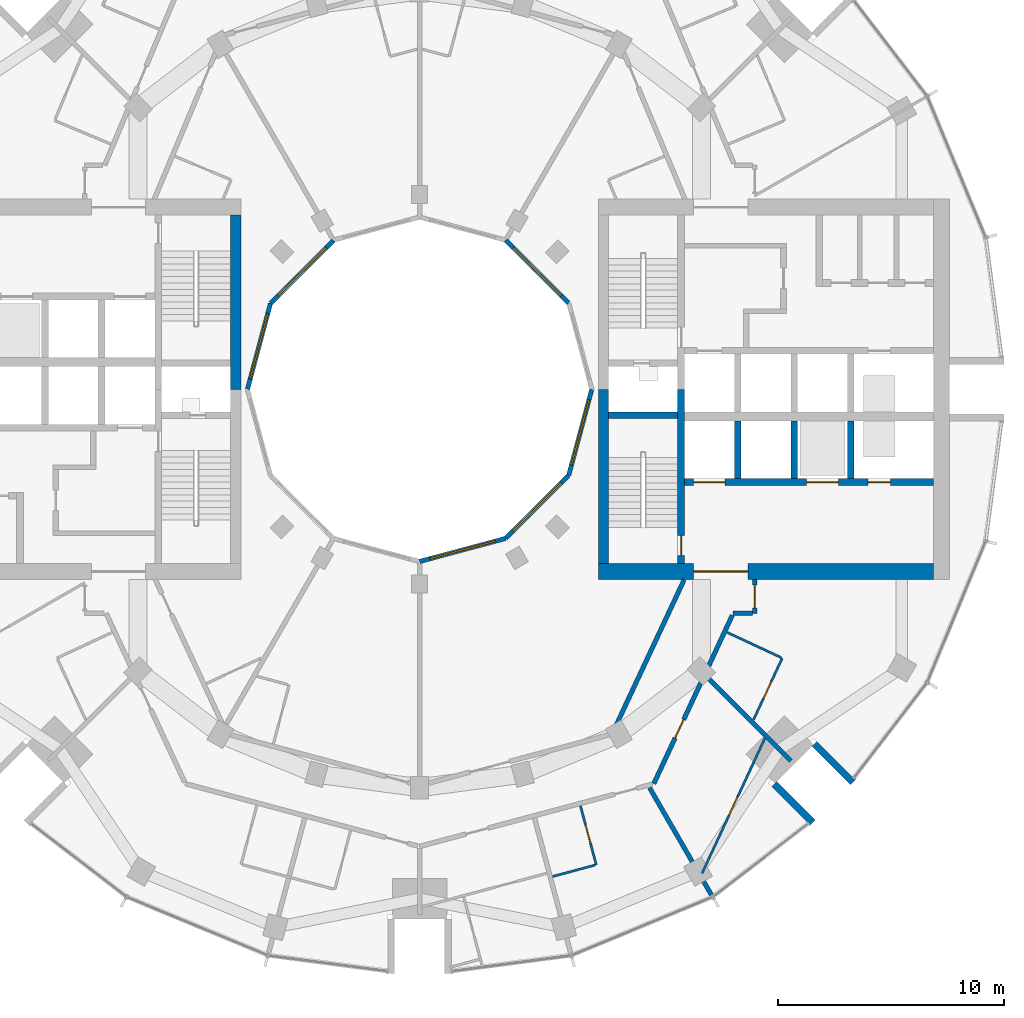
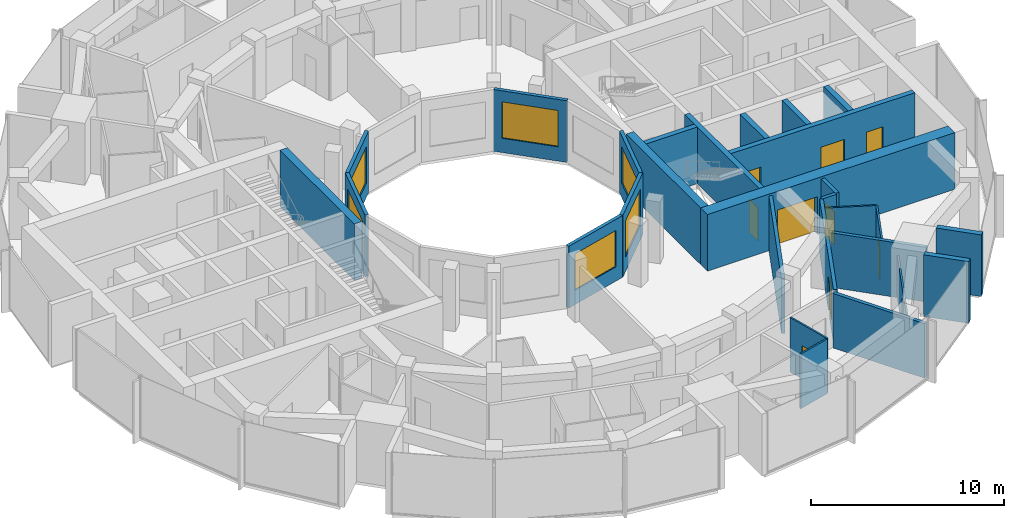
# One storey, part 10 of 15: 28 walls, 10 doors, 6 windows, 16 openings.
"""IFC4 building model written with IfcOpenShell, lengths in metres."""

from ifc_helpers import new_model, si_unit, direction, frame, frame_2d, origin, place, context, subcontext, project, spatial, rectangle, extrude, material, layer, layer_set, type_object, element, fill, save


model = new_model("IFC4")

# Units and contexts
model_context = context("Model", 3, precision=1e-05, world=origin(), true_north=direction((0.0, 1.0)))
body_context = subcontext(model_context, "Body", "Model", "MODEL_VIEW")
ifc_project = project(units=[si_unit("LENGTHUNIT", "METRE"), si_unit("AREAUNIT", "SQUARE_METRE"), si_unit("VOLUMEUNIT", "CUBIC_METRE"), si_unit("PLANEANGLEUNIT", "RADIAN"), si_unit("MASSUNIT", "GRAM", prefix="KILO")], contexts=[model_context])

# Site, building, storey
site_placement = place(None, origin())
site = spatial("IfcSite", under=ifc_project, at=site_placement, CompositionType="ELEMENT")
building_placement = place(site_placement, origin())
building = spatial("IfcBuilding", under=site, at=building_placement, Name="Torre Brocal", CompositionType="ELEMENT")
storey_placement = place(building_placement, frame((0.0, 0.0, 130.199951171875)))
storey = spatial("IfcBuildingStorey", under=building, at=storey_placement, Name="L30", CompositionType="ELEMENT", Elevation=130.199951171875)

# Wall, opening, door
ifc_material_1 = material(Name="Concrete C70", Category="concrete")
ifc_layer_1 = layer(ifc_material_1, 0.300048828125)
ifc_layer_set_1 = layer_set([ifc_layer_1], Name="Concrete C70")
wall_type_1 = type_object("IfcWallType", Name="CORE WALL 300 C70", PredefinedType="SHEAR", material=ifc_layer_set_1)
wall_1_placement = place(storey_placement, frame((91.550048828125, 67.300048828125, 0.0), z_axis=(0.0, 0.0, 1.0), x_axis=(0.0, 1.0, 0.0)))
wall_1 = element("IfcWall", 1, at=wall_1_placement, inside=storey, type_object=wall_type_1, Name="Wall CW300-70", PredefinedType="SHEAR", context=body_context, shape_type="SweptSolid", body=[
    extrude(rectangle(XDim=7.699951171875, YDim=0.300048828125, at=frame_2d((3.85009765625, 0.0))), origin(), (0.0, 0.0, 1.0), 3.580078125),
])
opening_1_placement = place(wall_1_placement, frame((0.35009765625, 0.0, 0.0)))
opening_1 = element("IfcOpeningElement", 2, at=opening_1_placement, cuts=wall_1, Name="Opening E-D03", PredefinedType="OPENING", context=body_context, shape_type="SweptSolid", body=[
    extrude(rectangle(XDim=0.89990234375, YDim=2.10009765625, at=frame_2d((0.449951171875, 1.050048828125))), frame((0.0, 0.159912109375, 0.0), z_axis=(0.0, -1.0, 0.0), x_axis=(1.0, 0.0, 0.0)), (0.0, 0.0, 1.0), 0.320068359375),
])
ifc_material_2 = material(Name="Steel A653", Category="steel")
door_type_1 = type_object("IfcDoorType", Name="STAIR DOOR FD120 900X2100", OperationType="SINGLE_SWING_RIGHT", PredefinedType="DOOR", material=ifc_material_2)
door_1_placement = place(opening_1_placement, origin())
door_1 = element("IfcDoor", 3, at=door_1_placement, inside=storey, type_object=door_type_1, Name="Door E-D03", OperationType="SINGLE_SWING_LEFT", OverallHeight=2.10009765625, OverallWidth=0.89990234375, PredefinedType="DOOR", context=body_context, shape_type="SweptSolid", body=[
    extrude(rectangle(XDim=0.89990234375, YDim=2.10009765625, at=frame_2d((0.449951171875, 1.050048828125))), frame((0.0, 0.02490234375, 0.0), z_axis=(0.0, -1.0, 0.0), x_axis=(1.0, 0.0, 0.0)), (0.0, 0.0, 1.0), 0.050048828125),
])
fill(opening_1, door_1)

# Wall
wall_2_placement = place(storey_placement, frame((88.35009765625, 73.85009765625, 0.0), z_axis=(0.0, 0.0, 1.0), x_axis=(1.0, 0.0, 0.0)))
element("IfcWall", 4, at=wall_2_placement, inside=storey, type_object=wall_type_1, Name="Wall CW300-70", PredefinedType="SHEAR", context=body_context, shape_type="SweptSolid", body=[
    extrude(rectangle(XDim=3.0498046875, YDim=0.300048828125, at=frame_2d((1.52490234375, 0.0))), origin(), (0.0, 0.0, 1.0), 3.580078125),
])

# Wall, openings, doors
wall_3_placement = place(storey_placement, frame((91.699951171875, 70.89990234375, 0.0), z_axis=(0.0, 0.0, 1.0), x_axis=(1.0, 0.0, 0.0)))
wall_3 = element("IfcWall", 5, at=wall_3_placement, inside=storey, type_object=wall_type_1, Name="Wall CW300-70", PredefinedType="SHEAR", context=body_context, shape_type="SweptSolid", body=[
    extrude(rectangle(XDim=11.0, YDim=0.300048828125, at=frame_2d((5.5, 0.0))), origin(), (0.0, 0.0, 1.0), 3.580078125),
])
opening_2_placement = place(wall_3_placement, frame((0.39990234375, 0.0, 0.0)))
opening_2 = element("IfcOpeningElement", 6, at=opening_2_placement, cuts=wall_3, Name="Opening LD14", PredefinedType="OPENING", context=body_context, shape_type="SweptSolid", body=[
    extrude(rectangle(XDim=1.39990234375, YDim=2.10009765625, at=frame_2d((0.699951171875, 1.050048828125))), frame((0.0, 0.159912109375, 0.0), z_axis=(0.0, -1.0, 0.0), x_axis=(1.0, 0.0, 0.0)), (0.0, 0.0, 1.0), 0.320068359375),
])
opening_3_placement = place(wall_3_placement, frame((5.39990234375, 0.0, 0.0)))
opening_3 = element("IfcOpeningElement", 7, at=opening_3_placement, cuts=wall_3, Name="Opening LD14", PredefinedType="OPENING", context=body_context, shape_type="SweptSolid", body=[
    extrude(rectangle(XDim=1.39990234375, YDim=2.10009765625, at=frame_2d((0.699951171875, 1.050048828125))), frame((0.0, 0.159912109375, 0.0), z_axis=(0.0, -1.0, 0.0), x_axis=(1.0, 0.0, 0.0)), (0.0, 0.0, 1.0), 0.320068359375),
])
opening_4_placement = place(wall_3_placement, frame((8.10009765625, 0.0, 0.0)))
opening_4 = element("IfcOpeningElement", 8, at=opening_4_placement, cuts=wall_3, Name="Opening LD10", PredefinedType="OPENING", context=body_context, shape_type="SweptSolid", body=[
    extrude(rectangle(XDim=1.0, YDim=2.10009765625, at=frame_2d((0.5, 1.050048828125))), frame((0.0, 0.159912109375, 0.0), z_axis=(0.0, -1.0, 0.0), x_axis=(1.0, 0.0, 0.0)), (0.0, 0.0, 1.0), 0.320068359375),
])
ifc_material_3 = material(Name="Stainless steel AISI 316", Category="steel")
door_type_2 = type_object("IfcDoorType", Name="LIFT LANDING DOOR 1000X2100", OperationType="DOUBLE_DOOR_SLIDING", PredefinedType="DOOR", material=ifc_material_3)
door_2_placement = place(opening_4_placement, origin())
door_2 = element("IfcDoor", 9, at=door_2_placement, inside=storey, type_object=door_type_2, Name="Door LD10", OperationType="DOUBLE_DOOR_SLIDING", OverallHeight=2.10009765625, OverallWidth=1.0, PredefinedType="DOOR", context=body_context, shape_type="SweptSolid", body=[
    extrude(rectangle(XDim=1.0, YDim=2.10009765625, at=frame_2d((0.5, 1.050048828125))), frame((0.0, 0.02490234375, 0.0), z_axis=(0.0, -1.0, 0.0), x_axis=(1.0, 0.0, 0.0)), (0.0, 0.0, 1.0), 0.050048828125),
])
fill(opening_4, door_2)
ifc_material_4 = material(Name="Stainless steel AISI 316", Category="steel")
door_type_3 = type_object("IfcDoorType", Name="LIFT LANDING DOOR 1400X2100", OperationType="DOUBLE_DOOR_SLIDING", PredefinedType="DOOR", material=ifc_material_4)
door_3_placement = place(opening_2_placement, origin())
door_3 = element("IfcDoor", 10, at=door_3_placement, inside=storey, type_object=door_type_3, Name="Door LD14", OperationType="DOUBLE_DOOR_SLIDING", OverallHeight=2.10009765625, OverallWidth=1.39990234375, PredefinedType="DOOR", context=body_context, shape_type="SweptSolid", body=[
    extrude(rectangle(XDim=1.39990234375, YDim=2.10009765625, at=frame_2d((0.699951171875, 1.050048828125))), frame((0.0, 0.02490234375, 0.0), z_axis=(0.0, -1.0, 0.0), x_axis=(1.0, 0.0, 0.0)), (0.0, 0.0, 1.0), 0.050048828125),
])
fill(opening_2, door_3)
door_4_placement = place(opening_3_placement, origin())
door_4 = element("IfcDoor", 11, at=door_4_placement, inside=storey, type_object=door_type_3, Name="Door LD14", OperationType="DOUBLE_DOOR_SLIDING", OverallHeight=2.10009765625, OverallWidth=1.39990234375, PredefinedType="DOOR", context=body_context, shape_type="SweptSolid", body=[
    extrude(rectangle(XDim=1.39990234375, YDim=2.10009765625, at=frame_2d((0.699951171875, 1.050048828125))), frame((0.0, 0.02490234375, 0.0), z_axis=(0.0, -1.0, 0.0), x_axis=(1.0, 0.0, 0.0)), (0.0, 0.0, 1.0), 0.050048828125),
])
fill(opening_3, door_4)

# Walls
for number, where, z_axis, x_axis, name in (
    (12, (94.050048828125, 71.050048828125, 0.0), (0.0, 0.0, 1.0), (0.0, 1.0, 0.0), "Wall CW300-70"),
    (13, (96.550048828125, 71.050048828125, 0.0), (0.0, 0.0, 1.0), (0.0, 1.0, 0.0), "Wall CW300-70"),
    (14, (99.050048828125, 71.050048828125, 0.0), (0.0, 0.0, 1.0), (0.0, 1.0, 0.0), "Wall CW300-70"),
):
    element("IfcWall", number, at=place(storey_placement, frame(where, z_axis=z_axis, x_axis=x_axis)), inside=storey, type_object=wall_type_1, Name=name, PredefinedType="SHEAR", context=body_context, shape_type="SweptSolid", body=[
        extrude(rectangle(XDim=2.550048828125, YDim=0.300048828125, at=frame_2d((1.27490234375, 0.0))), origin(), (0.0, 0.0, 1.0), 3.580078125),
    ])
ifc_material_5 = material(Name="Concrete C70", Category="concrete")
ifc_layer_2 = layer(ifc_material_5, 0.449951171875)
ifc_layer_set_2 = layer_set([ifc_layer_2], Name="Concrete C70")
wall_type_2 = type_object("IfcWallType", Name="CORE WALL 450 C70", PredefinedType="SHEAR", material=ifc_layer_set_2)
for number, where, z_axis, x_axis, name in (
    (15, (88.125, 67.300048828125, 0.0), (0.0, 0.0, 1.0), (0.0, 1.0, 0.0), "Wall CW450-70"),
    (16, (71.875, 82.699951171875, 0.0), (0.0, 0.0, 1.0), (0.0, -1.0, 0.0), "Wall CW450-70"),
):
    element("IfcWall", number, at=place(storey_placement, frame(where, z_axis=z_axis, x_axis=x_axis)), inside=storey, type_object=wall_type_2, Name=name, PredefinedType="SHEAR", context=body_context, shape_type="SweptSolid", body=[
        extrude(rectangle(XDim=7.699951171875, YDim=0.449951171875, at=frame_2d((3.85009765625, 0.0))), origin(), (0.0, 0.0, 1.0), 3.580078125),
    ])

# Wall, opening, door
ifc_material_6 = material(Name="Concrete C70", Category="concrete")
ifc_layer_3 = layer(ifc_material_6, 0.699951171875)
ifc_layer_set_3 = layer_set([ifc_layer_3], Name="Concrete C70")
wall_type_3 = type_object("IfcWallType", Name="CORE WALL 700 C70", PredefinedType="SHEAR", material=ifc_layer_set_3)
wall_4_placement = place(storey_placement, frame((87.89990234375, 66.949951171875, 0.0), z_axis=(0.0, 0.0, 1.0), x_axis=(1.0, 0.0, 0.0)))
wall_4 = element("IfcWall", 17, at=wall_4_placement, inside=storey, type_object=wall_type_3, Name="Wall CW700-70", PredefinedType="SHEAR", context=body_context, shape_type="SweptSolid", body=[
    extrude(rectangle(XDim=14.800048828125, YDim=0.699951171875, at=frame_2d((7.39990234375, 0.0))), origin(), (0.0, 0.0, 1.0), 3.580078125),
])
opening_5_placement = place(wall_4_placement, frame((4.199951171875, 0.0, 0.0)))
opening_5 = element("IfcOpeningElement", 18, at=opening_5_placement, cuts=wall_4, Name="Opening E-D30", PredefinedType="OPENING", context=body_context, shape_type="SweptSolid", body=[
    extrude(rectangle(XDim=2.39990234375, YDim=2.39990234375, at=frame_2d((1.199951171875, 1.199951171875))), frame((0.0, 0.35986328125, 0.0), z_axis=(0.0, -1.0, 0.0), x_axis=(1.0, 0.0, 0.0)), (0.0, 0.0, 1.0), 0.719970703125),
])
ifc_material_7 = material(Name="Steel A653", Category="steel")
door_type_4 = type_object("IfcDoorType", Name="DOUBLE FIRE DOOR FD90 2400X2400", OperationType="DOUBLE_DOOR_SINGLE_SWING", PredefinedType="DOOR", material=ifc_material_7)
door_5_placement = place(opening_5_placement, origin())
door_5 = element("IfcDoor", 19, at=door_5_placement, inside=storey, type_object=door_type_4, Name="Door E-D30", OperationType="DOUBLE_DOOR_SINGLE_SWING", OverallHeight=2.39990234375, OverallWidth=2.39990234375, PredefinedType="DOOR", context=body_context, shape_type="SweptSolid", body=[
    extrude(rectangle(XDim=2.39990234375, YDim=2.39990234375, at=frame_2d((1.199951171875, 1.199951171875))), frame((0.0, 0.02490234375, 0.0), z_axis=(0.0, -1.0, 0.0), x_axis=(1.0, 0.0, 0.0)), (0.0, 0.0, 1.0), 0.050048828125),
])
fill(opening_5, door_5)

# Walls
ifc_material_8 = material(Name="Concrete C70", Category="concrete")
ifc_layer_4 = layer(ifc_material_8, 0.300048828125)
ifc_layer_set_4 = layer_set([ifc_layer_4], Name="Concrete C70")
wall_type_4 = type_object("IfcWallType", Name="NOTCH RETURN WALL 300 C70", PredefinedType="NOTDEFINED", material=ifc_layer_set_4)
for number, where, z_axis, x_axis, name in (
    (20, (95.662353515625, 57.56982421875, 0.0), (0.0, 0.0, 1.0), (0.707106781187, -0.707106781187, 0.0), "NOTCH RETURN WALL"),
    (21, (97.43017578125, 59.337646484375, 0.0), (0.0, 0.0, 1.0), (0.707106781187, -0.707106781187, 0.0), "NOTCH RETURN WALL"),
):
    element("IfcWall", number, at=place(storey_placement, frame(where, z_axis=z_axis, x_axis=x_axis)), inside=storey, type_object=wall_type_4, Name=name, PredefinedType="NOTDEFINED", context=body_context, shape_type="SweptSolid", body=[
        extrude(rectangle(XDim=2.415771484375, YDim=0.300048828125, at=frame_2d((1.2080078125, 0.0))), origin(), (0.0, 0.0, 1.0), 3.900146484375),
    ])
ifc_material_9 = material(Name="Gypsum board", Category="Gypsum")
ifc_layer_5 = layer(ifc_material_9, 0.10009765625)
ifc_layer_set_5 = layer_set([ifc_layer_5], Name="Gypsum board")
wall_type_5 = type_object("IfcWallType", Name="PARTITION 100", PredefinedType="PARTITIONING", material=ifc_layer_set_5)
wall_5_placement = place(storey_placement, frame((85.87060546875, 53.477783203125, 0.0), z_axis=(0.0, 0.0, 1.0), x_axis=(0.965853538138, 0.25908867761, 0.0)))
element("IfcWall", 22, at=wall_5_placement, inside=storey, type_object=wall_type_5, Name="BATHROOM WALL", PredefinedType="PARTITIONING", context=body_context, shape_type="SweptSolid", body=[
    extrude(rectangle(XDim=1.94970703125, YDim=0.10009765625, at=frame_2d((0.974853515625, 0.0))), origin(), (0.0, 0.0, 1.0), 3.449951171875),
])

# Wall, opening, door
wall_6_placement = place(storey_placement, frame((87.10302734375, 56.60400390625, 0.0), z_axis=(0.0, 0.0, 1.0), x_axis=(0.258883730688, -0.965908491517, 0.0)))
wall_6 = element("IfcWall", 23, at=wall_6_placement, inside=storey, type_object=wall_type_5, Name="BATHROOM WALL", PredefinedType="PARTITIONING", context=body_context, shape_type="SweptSolid", body=[
    extrude(rectangle(XDim=2.699951171875, YDim=0.10009765625, at=frame_2d((1.35009765625, 0.0))), origin(), (0.0, 0.0, 1.0), 3.449951171875),
])
opening_6_placement = place(wall_6_placement, frame((0.899658203125, 0.0, 0.0)))
opening_6 = element("IfcOpeningElement", 24, at=opening_6_placement, cuts=wall_6, Name="Opening E02-D30", PredefinedType="OPENING", context=body_context, shape_type="SweptSolid", body=[
    extrude(rectangle(XDim=0.800048828125, YDim=2.10009765625, at=frame_2d((0.39990234375, 1.050048828125))), frame((0.0, 0.06005859375, 0.0), z_axis=(0.0, -1.0, 0.0), x_axis=(1.0, 0.0, 0.0)), (0.0, 0.0, 1.0), 0.1201171875),
])
ifc_material_10 = material(Name="Timber", Category="wood")
door_type_5 = type_object("IfcDoorType", Name="BATHROOM DOOR 800X2100", OperationType="SINGLE_SWING_LEFT", PredefinedType="DOOR", material=ifc_material_10)
door_6_placement = place(opening_6_placement, frame((0.800048828125, 0.0, 0.0), z_axis=(0.0, 0.0, 1.0), x_axis=(-1.0, 0.0, 0.0)))
door_6 = element("IfcDoor", 25, at=door_6_placement, inside=storey, type_object=door_type_5, Name="E02-D30", OperationType="SINGLE_SWING_RIGHT", OverallHeight=2.10009765625, OverallWidth=0.800048828125, PredefinedType="DOOR", context=body_context, shape_type="SweptSolid", body=[
    extrude(rectangle(XDim=0.800048828125, YDim=2.10009765625, at=frame_2d((0.39990234375, 1.050048828125))), frame((0.0, 0.02490234375, 0.0), z_axis=(0.0, -1.0, 0.0), x_axis=(1.0, 0.0, 0.0)), (0.0, 0.0, 1.0), 0.050048828125),
])
fill(opening_6, door_6)

# Wall
wall_7_placement = place(storey_placement, frame((93.581787109375, 64.2626953125, 0.0), z_axis=(0.0, 0.0, 1.0), x_axis=(0.906494794209, -0.422216991691, 0.0)))
element("IfcWall", 26, at=wall_7_placement, inside=storey, type_object=wall_type_5, Name="BATHROOM WALL", PredefinedType="PARTITIONING", context=body_context, shape_type="SweptSolid", body=[
    extrude(rectangle(XDim=2.6396484375, YDim=0.10009765625, at=frame_2d((1.31982421875, 0.0))), origin(), (0.0, 0.0, 1.0), 3.449951171875),
])

# Wall, opening, door
wall_8_placement = place(storey_placement, frame((94.752685546875, 60.40771484375, 0.0), z_axis=(0.0, 0.0, 1.0), x_axis=(0.422435455794, 0.906393008406, 0.0)))
wall_8 = element("IfcWall", 27, at=wall_8_placement, inside=storey, type_object=wall_type_5, Name="BATHROOM WALL", PredefinedType="PARTITIONING", context=body_context, shape_type="SweptSolid", body=[
    extrude(rectangle(XDim=3.0, YDim=0.10009765625, at=frame_2d((1.5, 0.0))), origin(), (0.0, 0.0, 1.0), 3.449951171875),
])
opening_7_placement = place(wall_8_placement, frame((1.0400390625, 0.0, 0.0)))
opening_7 = element("IfcOpeningElement", 28, at=opening_7_placement, cuts=wall_8, Name="Opening E02-D26", PredefinedType="OPENING", context=body_context, shape_type="SweptSolid", body=[
    extrude(rectangle(XDim=0.800048828125, YDim=2.10009765625, at=frame_2d((0.39990234375, 1.050048828125))), frame((0.0, 0.06005859375, 0.0), z_axis=(0.0, -1.0, 0.0), x_axis=(1.0, 0.0, 0.0)), (0.0, 0.0, 1.0), 0.1201171875),
])
door_7_placement = place(opening_7_placement, origin())
door_7 = element("IfcDoor", 29, at=door_7_placement, inside=storey, type_object=door_type_5, Name="E02-D26", OperationType="SINGLE_SWING_LEFT", OverallHeight=2.10009765625, OverallWidth=0.800048828125, PredefinedType="DOOR", context=body_context, shape_type="SweptSolid", body=[
    extrude(rectangle(XDim=0.800048828125, YDim=2.10009765625, at=frame_2d((0.39990234375, 1.050048828125))), frame((0.0, 0.02490234375, 0.0), z_axis=(0.0, -1.0, 0.0), x_axis=(1.0, 0.0, 0.0)), (0.0, 0.0, 1.0), 0.050048828125),
])
fill(opening_7, door_7)

ifc_material_11 = material(Name="Gypsum board", Category="Gypsum")
ifc_layer_6 = layer(ifc_material_11, 0.10009765625)
ifc_layer_set_6 = layer_set([ifc_layer_6], Name="Gypsum board")
wall_type_6 = type_object("IfcWallType", Name="PARTITION 100 UNDER BEAM 1220", PredefinedType="PARTITIONING", material=ifc_layer_set_6)
wall_9_placement = place(storey_placement, frame((92.47705078125, 53.618896484375, 0.0), z_axis=(0.0, 0.0, 1.0), x_axis=(0.421913254756, 0.90663620348, 0.0)))
wall_9 = element("IfcWall", 30, at=wall_9_placement, inside=storey, type_object=wall_type_6, Name="ROOM PARTITION", PredefinedType="PARTITIONING", context=body_context, shape_type="SweptSolid", body=[
    extrude(rectangle(XDim=6.572998046875, YDim=0.10009765625, at=frame_2d((3.28662109375, 0.0))), origin(), (0.0, 0.0, 1.0), 2.679931640625),
])
opening_8_placement = place(wall_9_placement, frame((2.831298828125, 0.0, 0.0)))
opening_8 = element("IfcOpeningElement", 31, at=opening_8_placement, cuts=wall_9, Name="Opening E02-D28", PredefinedType="OPENING", context=body_context, shape_type="SweptSolid", body=[
    extrude(rectangle(XDim=0.89990234375, YDim=2.10009765625, at=frame_2d((0.449951171875, 1.050048828125))), frame((0.0, 0.06005859375, 0.0), z_axis=(0.0, -1.0, 0.0), x_axis=(1.0, 0.0, 0.0)), (0.0, 0.0, 1.0), 0.1201171875),
])
ifc_material_12 = material(Name="Timber", Category="wood")
door_type_6 = type_object("IfcDoorType", Name="ROOM DOOR 900X2100", OperationType="SINGLE_SWING_LEFT", PredefinedType="DOOR", material=ifc_material_12)
door_8_placement = place(opening_8_placement, frame((0.89990234375, 0.0, 0.0), z_axis=(0.0, 0.0, 1.0), x_axis=(-1.0, 0.0, 0.0)))
door_8 = element("IfcDoor", 32, at=door_8_placement, inside=storey, type_object=door_type_6, Name="E02-D28", OperationType="SINGLE_SWING_LEFT", OverallHeight=2.10009765625, OverallWidth=0.89990234375, PredefinedType="DOOR", context=body_context, shape_type="SweptSolid", body=[
    extrude(rectangle(XDim=0.89990234375, YDim=2.10009765625, at=frame_2d((0.449951171875, 1.050048828125))), frame((0.0, 0.02490234375, 0.0), z_axis=(0.0, -1.0, 0.0), x_axis=(1.0, 0.0, 0.0)), (0.0, 0.0, 1.0), 0.050048828125),
])
fill(opening_8, door_8)

# Walls
ifc_material_13 = material(Name="Gypsum board", Category="Gypsum")
ifc_layer_7 = layer(ifc_material_13, 0.199951171875)
ifc_layer_set_7 = layer_set([ifc_layer_7], Name="Gypsum board")
wall_type_7 = type_object("IfcWallType", Name="PARTITION 200 EI60", PredefinedType="PARTITIONING", material=ifc_layer_set_7)
wall_10_placement = place(storey_placement, frame((88.501708984375, 59.774169921875, 0.0), z_axis=(0.0, 0.0, 1.0), x_axis=(0.423423307095, 0.905931952747, 0.0)))
element("IfcWall", 33, at=wall_10_placement, inside=storey, type_object=wall_type_7, Name="GUESTROOM CORRIDOR WALL", PredefinedType="PARTITIONING", context=body_context, shape_type="SweptSolid", body=[
    extrude(rectangle(XDim=7.528564453125, YDim=0.199951171875, at=frame_2d((3.76416015625, 0.0))), origin(), (0.0, 0.0, 1.0), 3.449951171875),
])
wall_11_placement = place(storey_placement, frame((90.15966796875, 57.3955078125, 0.0), z_axis=(0.0, 0.0, 1.0), x_axis=(0.499848624781, -0.86611278267, 0.0)))
element("IfcWall", 34, at=wall_11_placement, inside=storey, type_object=wall_type_7, Name="SERVICE ROOM WALL", PredefinedType="PARTITIONING", context=body_context, shape_type="SweptSolid", body=[
    extrude(rectangle(XDim=5.471923828125, YDim=0.199951171875, at=frame_2d((2.73583984375, 0.0))), origin(), (0.0, 0.0, 1.0), 3.449951171875),
])

# Wall, opening, door
wall_12_placement = place(storey_placement, frame((90.345947265625, 57.577880859375, 0.0), z_axis=(0.0, 0.0, 1.0), x_axis=(0.422476720533, 0.906373775331, 0.0)))
wall_12 = element("IfcWall", 35, at=wall_12_placement, inside=storey, type_object=wall_type_7, Name="GUESTROOM CORRIDOR WALL", PredefinedType="PARTITIONING", context=body_context, shape_type="SweptSolid", body=[
    extrude(rectangle(XDim=8.208251953125, YDim=0.199951171875, at=frame_2d((4.10400390625, 0.0))), origin(), (0.0, 0.0, 1.0), 3.449951171875),
])
opening_9_placement = place(wall_12_placement, frame((2.22265625, 0.0, 0.0)))
opening_9 = element("IfcOpeningElement", 36, at=opening_9_placement, cuts=wall_12, Name="Opening E02-D27", PredefinedType="OPENING", context=body_context, shape_type="SweptSolid", body=[
    extrude(rectangle(XDim=0.89990234375, YDim=2.10009765625, at=frame_2d((0.449951171875, 1.050048828125))), frame((0.0, 0.10986328125, 0.0), z_axis=(0.0, -1.0, 0.0), x_axis=(1.0, 0.0, 0.0)), (0.0, 0.0, 1.0), 0.219970703125),
])
door_9_placement = place(opening_9_placement, frame((0.89990234375, 0.0, 0.0), z_axis=(0.0, 0.0, 1.0), x_axis=(-1.0, 0.0, 0.0)))
door_9 = element("IfcDoor", 37, at=door_9_placement, inside=storey, type_object=door_type_6, Name="E02-D27", OperationType="SINGLE_SWING_LEFT", OverallHeight=2.10009765625, OverallWidth=0.89990234375, PredefinedType="DOOR", context=body_context, shape_type="SweptSolid", body=[
    extrude(rectangle(XDim=0.89990234375, YDim=2.10009765625, at=frame_2d((0.449951171875, 1.050048828125))), frame((0.0, 0.02490234375, 0.0), z_axis=(0.0, -1.0, 0.0), x_axis=(1.0, 0.0, 0.0)), (0.0, 0.0, 1.0), 0.050048828125),
])
fill(opening_9, door_9)

# Walls
wall_13_placement = place(storey_placement, frame((92.691650390625, 62.303466796875, 0.0), z_axis=(0.0, 0.0, 1.0), x_axis=(0.706943936447, -0.707269588432, 0.0)))
element("IfcWall", 38, at=wall_13_placement, inside=storey, type_object=wall_type_7, Name="BATHROOM WALL", PredefinedType="PARTITIONING", context=body_context, shape_type="SweptSolid", body=[
    extrude(rectangle(XDim=5.247802734375, YDim=0.199951171875, at=frame_2d((2.6240234375, 0.0))), origin(), (0.0, 0.0, 1.0), 3.449951171875),
])
wall_14_placement = place(storey_placement, frame((93.85107421875, 65.10009765625, 0.0), z_axis=(0.0, 0.0, 1.0), x_axis=(1.0, 0.0, 0.0)))
element("IfcWall", 39, at=wall_14_placement, inside=storey, type_object=wall_type_7, Name="GUESTROOM CORRIDOR WALL", PredefinedType="PARTITIONING", context=body_context, shape_type="SweptSolid", body=[
    extrude(rectangle(XDim=0.848876953125, YDim=0.199951171875, at=frame_2d((0.42431640625, 0.0))), origin(), (0.0, 0.0, 1.0), 3.449951171875),
])

# Wall, opening, door
wall_15_placement = place(storey_placement, frame((94.800048828125, 65.10009765625, 0.0), z_axis=(0.0, 0.0, 1.0), x_axis=(0.0, 1.0, 0.0)))
wall_15 = element("IfcWall", 40, at=wall_15_placement, inside=storey, type_object=wall_type_7, Name="GUESTROOM CORRIDOR WALL", PredefinedType="PARTITIONING", context=body_context, shape_type="SweptSolid", body=[
    extrude(rectangle(XDim=1.4990234375, YDim=0.199951171875, at=frame_2d((0.74951171875, 0.0))), origin(), (0.0, 0.0, 1.0), 3.449951171875),
])
opening_10_placement = place(wall_15_placement, frame((0.25, 0.0, 0.0)))
opening_10 = element("IfcOpeningElement", 41, at=opening_10_placement, cuts=wall_15, Name="Opening E02-D25", PredefinedType="OPENING", context=body_context, shape_type="SweptSolid", body=[
    extrude(rectangle(XDim=1.0, YDim=2.10009765625, at=frame_2d((0.5, 1.050048828125))), frame((0.0, 0.10986328125, 0.0), z_axis=(0.0, -1.0, 0.0), x_axis=(1.0, 0.0, 0.0)), (0.0, 0.0, 1.0), 0.219970703125),
])
ifc_material_14 = material(Name="Timber", Category="wood")
door_type_7 = type_object("IfcDoorType", Name="FLAT ENTRY DOOR FD30S 1000X2100", OperationType="SINGLE_SWING_RIGHT", PredefinedType="DOOR", material=ifc_material_14)
door_10_placement = place(opening_10_placement, frame((1.0, 0.0, 0.0), z_axis=(0.0, 0.0, 1.0), x_axis=(-1.0, 0.0, 0.0)))
door_10 = element("IfcDoor", 42, at=door_10_placement, inside=storey, type_object=door_type_7, Name="E02-D25", OperationType="SINGLE_SWING_LEFT", OverallHeight=2.10009765625, OverallWidth=1.0, PredefinedType="DOOR", context=body_context, shape_type="SweptSolid", body=[
    extrude(rectangle(XDim=1.0, YDim=2.10009765625, at=frame_2d((0.5, 1.050048828125))), frame((0.0, 0.02490234375, 0.0), z_axis=(0.0, -1.0, 0.0), x_axis=(1.0, 0.0, 0.0)), (0.0, 0.0, 1.0), 0.050048828125),
])
fill(opening_10, door_10)

# Wall, opening, window
ifc_material_15 = material(Name="Concrete C40", Category="concrete")
ifc_layer_8 = layer(ifc_material_15, 0.199951171875)
ifc_layer_set_8 = layer_set([ifc_layer_8], Name="Concrete C40")
wall_type_8 = type_object("IfcWallType", Name="WELL FACADE WALL 200", PredefinedType="NOTDEFINED", material=ifc_layer_set_8)
wall_16_placement = place(storey_placement, frame((86.5849609375, 78.8017578125, 0.0), z_axis=(0.0, 0.0, 1.0), x_axis=(-0.707106781187, 0.707106781187, 0.0)))
wall_16 = element("IfcWall", 43, at=wall_16_placement, inside=storey, type_object=wall_type_8, Name="WELL FACADE WALL", PredefinedType="NOTDEFINED", context=body_context, shape_type="SweptSolid", body=[
    extrude(rectangle(XDim=3.93603515625, YDim=0.199951171875, at=frame_2d((1.968017578125, 0.0))), origin(), (0.0, 0.0, 1.0), 3.900146484375),
])
opening_11_placement = place(wall_16_placement, frame((0.468017578125, 0.0, 0.89990234375)))
opening_11 = element("IfcOpeningElement", 44, at=opening_11_placement, cuts=wall_16, Name="Opening W1", PredefinedType="OPENING", context=body_context, shape_type="SweptSolid", body=[
    extrude(rectangle(XDim=3.0, YDim=2.300048828125, at=frame_2d((1.5, 1.14990234375))), frame((0.0, 0.10986328125, 0.0), z_axis=(0.0, -1.0, 0.0), x_axis=(1.0, 0.0, 0.0)), (0.0, 0.0, 1.0), 0.219970703125),
])
ifc_material_16 = material(Name="Aluminium and glass", Category="aluminium")
window_type = type_object("IfcWindowType", Name="WELL WINDOW 3000X2300", PartitioningType="SINGLE_PANEL", PredefinedType="WINDOW", material=ifc_material_16)
window_1_placement = place(opening_11_placement, origin())
window_1 = element("IfcWindow", 45, at=window_1_placement, inside=storey, type_object=window_type, Name="WELL WINDOW 3000X2300", OverallHeight=2.300048828125, OverallWidth=3.0, PartitioningType="SINGLE_PANEL", PredefinedType="WINDOW", context=body_context, shape_type="SweptSolid", body=[
    extrude(rectangle(XDim=3.0, YDim=2.300048828125, at=frame_2d((1.5, 1.14990234375))), frame((0.0, 0.030029296875, 0.0), z_axis=(0.0, -1.0, 0.0), x_axis=(1.0, 0.0, 0.0)), (0.0, 0.0, 1.0), 0.06005859375),
])
fill(opening_11, window_1)

wall_17_placement = place(storey_placement, frame((76.1982421875, 81.5849609375, 0.0), z_axis=(0.0, 0.0, 1.0), x_axis=(-0.707106781187, -0.707106781187, 0.0)))
wall_17 = element("IfcWall", 46, at=wall_17_placement, inside=storey, type_object=wall_type_8, Name="WELL FACADE WALL", PredefinedType="NOTDEFINED", context=body_context, shape_type="SweptSolid", body=[
    extrude(rectangle(XDim=3.93603515625, YDim=0.199951171875, at=frame_2d((1.968017578125, 0.0))), origin(), (0.0, 0.0, 1.0), 3.900146484375),
])
opening_12_placement = place(wall_17_placement, frame((0.468017578125, 0.0, 0.89990234375)))
opening_12 = element("IfcOpeningElement", 47, at=opening_12_placement, cuts=wall_17, Name="Opening W1", PredefinedType="OPENING", context=body_context, shape_type="SweptSolid", body=[
    extrude(rectangle(XDim=3.0, YDim=2.300048828125, at=frame_2d((1.5, 1.14990234375))), frame((0.0, 0.10986328125, 0.0), z_axis=(0.0, -1.0, 0.0), x_axis=(1.0, 0.0, 0.0)), (0.0, 0.0, 1.0), 0.219970703125),
])
window_2_placement = place(opening_12_placement, origin())
window_2 = element("IfcWindow", 48, at=window_2_placement, inside=storey, type_object=window_type, Name="WELL WINDOW 3000X2300", OverallHeight=2.300048828125, OverallWidth=3.0, PartitioningType="SINGLE_PANEL", PredefinedType="WINDOW", context=body_context, shape_type="SweptSolid", body=[
    extrude(rectangle(XDim=3.0, YDim=2.300048828125, at=frame_2d((1.5, 1.14990234375))), frame((0.0, 0.030029296875, 0.0), z_axis=(0.0, -1.0, 0.0), x_axis=(1.0, 0.0, 0.0)), (0.0, 0.0, 1.0), 0.06005859375),
])
fill(opening_12, window_2)

wall_18_placement = place(storey_placement, frame((73.4150390625, 78.8017578125, 0.0), z_axis=(0.0, 0.0, 1.0), x_axis=(-0.258789828301, -0.965933654434, 0.0)))
wall_18 = element("IfcWall", 49, at=wall_18_placement, inside=storey, type_object=wall_type_8, Name="WELL FACADE WALL", PredefinedType="NOTDEFINED", context=body_context, shape_type="SweptSolid", body=[
    extrude(rectangle(XDim=3.935791015625, YDim=0.199951171875, at=frame_2d((1.9677734375, 0.0))), origin(), (0.0, 0.0, 1.0), 3.900146484375),
])
opening_13_placement = place(wall_18_placement, frame((0.468017578125, 0.0, 0.89990234375)))
opening_13 = element("IfcOpeningElement", 50, at=opening_13_placement, cuts=wall_18, Name="Opening W1", PredefinedType="OPENING", context=body_context, shape_type="SweptSolid", body=[
    extrude(rectangle(XDim=3.0, YDim=2.300048828125, at=frame_2d((1.5, 1.14990234375))), frame((0.0, 0.10986328125, 0.0), z_axis=(0.0, -1.0, 0.0), x_axis=(1.0, 0.0, 0.0)), (0.0, 0.0, 1.0), 0.219970703125),
])
window_3_placement = place(opening_13_placement, origin())
window_3 = element("IfcWindow", 51, at=window_3_placement, inside=storey, type_object=window_type, Name="WELL WINDOW 3000X2300", OverallHeight=2.300048828125, OverallWidth=3.0, PartitioningType="SINGLE_PANEL", PredefinedType="WINDOW", context=body_context, shape_type="SweptSolid", body=[
    extrude(rectangle(XDim=3.0, YDim=2.300048828125, at=frame_2d((1.5, 1.14990234375))), frame((0.0, 0.030029296875, 0.0), z_axis=(0.0, -1.0, 0.0), x_axis=(1.0, 0.0, 0.0)), (0.0, 0.0, 1.0), 0.06005859375),
])
fill(opening_13, window_3)

wall_19_placement = place(storey_placement, frame((80.0, 67.396484375, 0.0), z_axis=(0.0, 0.0, 1.0), x_axis=(0.965933654434, 0.258789828301, 0.0)))
wall_19 = element("IfcWall", 52, at=wall_19_placement, inside=storey, type_object=wall_type_8, Name="WELL FACADE WALL", PredefinedType="NOTDEFINED", context=body_context, shape_type="SweptSolid", body=[
    extrude(rectangle(XDim=3.935791015625, YDim=0.199951171875, at=frame_2d((1.9677734375, 0.0))), origin(), (0.0, 0.0, 1.0), 3.900146484375),
])
opening_14_placement = place(wall_19_placement, frame((0.468017578125, 0.0, 0.89990234375)))
opening_14 = element("IfcOpeningElement", 53, at=opening_14_placement, cuts=wall_19, Name="Opening W1", PredefinedType="OPENING", context=body_context, shape_type="SweptSolid", body=[
    extrude(rectangle(XDim=3.0, YDim=2.300048828125, at=frame_2d((1.5, 1.14990234375))), frame((0.0, 0.10986328125, 0.0), z_axis=(0.0, -1.0, 0.0), x_axis=(1.0, 0.0, 0.0)), (0.0, 0.0, 1.0), 0.219970703125),
])
window_4_placement = place(opening_14_placement, origin())
window_4 = element("IfcWindow", 54, at=window_4_placement, inside=storey, type_object=window_type, Name="WELL WINDOW 3000X2300", OverallHeight=2.300048828125, OverallWidth=3.0, PartitioningType="SINGLE_PANEL", PredefinedType="WINDOW", context=body_context, shape_type="SweptSolid", body=[
    extrude(rectangle(XDim=3.0, YDim=2.300048828125, at=frame_2d((1.5, 1.14990234375))), frame((0.0, 0.030029296875, 0.0), z_axis=(0.0, -1.0, 0.0), x_axis=(1.0, 0.0, 0.0)), (0.0, 0.0, 1.0), 0.06005859375),
])
fill(opening_14, window_4)

wall_20_placement = place(storey_placement, frame((83.8017578125, 68.4150390625, 0.0), z_axis=(0.0, 0.0, 1.0), x_axis=(0.707106781187, 0.707106781187, 0.0)))
wall_20 = element("IfcWall", 55, at=wall_20_placement, inside=storey, type_object=wall_type_8, Name="WELL FACADE WALL", PredefinedType="NOTDEFINED", context=body_context, shape_type="SweptSolid", body=[
    extrude(rectangle(XDim=3.93603515625, YDim=0.199951171875, at=frame_2d((1.968017578125, 0.0))), origin(), (0.0, 0.0, 1.0), 3.900146484375),
])
opening_15_placement = place(wall_20_placement, frame((0.468017578125, 0.0, 0.89990234375)))
opening_15 = element("IfcOpeningElement", 56, at=opening_15_placement, cuts=wall_20, Name="Opening W1", PredefinedType="OPENING", context=body_context, shape_type="SweptSolid", body=[
    extrude(rectangle(XDim=3.0, YDim=2.300048828125, at=frame_2d((1.5, 1.14990234375))), frame((0.0, 0.10986328125, 0.0), z_axis=(0.0, -1.0, 0.0), x_axis=(1.0, 0.0, 0.0)), (0.0, 0.0, 1.0), 0.219970703125),
])
window_5_placement = place(opening_15_placement, origin())
window_5 = element("IfcWindow", 57, at=window_5_placement, inside=storey, type_object=window_type, Name="WELL WINDOW 3000X2300", OverallHeight=2.300048828125, OverallWidth=3.0, PartitioningType="SINGLE_PANEL", PredefinedType="WINDOW", context=body_context, shape_type="SweptSolid", body=[
    extrude(rectangle(XDim=3.0, YDim=2.300048828125, at=frame_2d((1.5, 1.14990234375))), frame((0.0, 0.030029296875, 0.0), z_axis=(0.0, -1.0, 0.0), x_axis=(1.0, 0.0, 0.0)), (0.0, 0.0, 1.0), 0.06005859375),
])
fill(opening_15, window_5)

wall_21_placement = place(storey_placement, frame((86.5849609375, 71.1982421875, 0.0), z_axis=(0.0, 0.0, 1.0), x_axis=(0.258789828301, 0.965933654434, 0.0)))
wall_21 = element("IfcWall", 58, at=wall_21_placement, inside=storey, type_object=wall_type_8, Name="WELL FACADE WALL", PredefinedType="NOTDEFINED", context=body_context, shape_type="SweptSolid", body=[
    extrude(rectangle(XDim=3.935791015625, YDim=0.199951171875, at=frame_2d((1.9677734375, 0.0))), origin(), (0.0, 0.0, 1.0), 3.900146484375),
])
opening_16_placement = place(wall_21_placement, frame((0.468017578125, 0.0, 0.89990234375)))
opening_16 = element("IfcOpeningElement", 59, at=opening_16_placement, cuts=wall_21, Name="Opening W1", PredefinedType="OPENING", context=body_context, shape_type="SweptSolid", body=[
    extrude(rectangle(XDim=3.0, YDim=2.300048828125, at=frame_2d((1.5, 1.14990234375))), frame((0.0, 0.10986328125, 0.0), z_axis=(0.0, -1.0, 0.0), x_axis=(1.0, 0.0, 0.0)), (0.0, 0.0, 1.0), 0.219970703125),
])
window_6_placement = place(opening_16_placement, origin())
window_6 = element("IfcWindow", 60, at=window_6_placement, inside=storey, type_object=window_type, Name="WELL WINDOW 3000X2300", OverallHeight=2.300048828125, OverallWidth=3.0, PartitioningType="SINGLE_PANEL", PredefinedType="WINDOW", context=body_context, shape_type="SweptSolid", body=[
    extrude(rectangle(XDim=3.0, YDim=2.300048828125, at=frame_2d((1.5, 1.14990234375))), frame((0.0, 0.030029296875, 0.0), z_axis=(0.0, -1.0, 0.0), x_axis=(1.0, 0.0, 0.0)), (0.0, 0.0, 1.0), 0.06005859375),
])
fill(opening_16, window_6)

save(model, "model.ifc")
